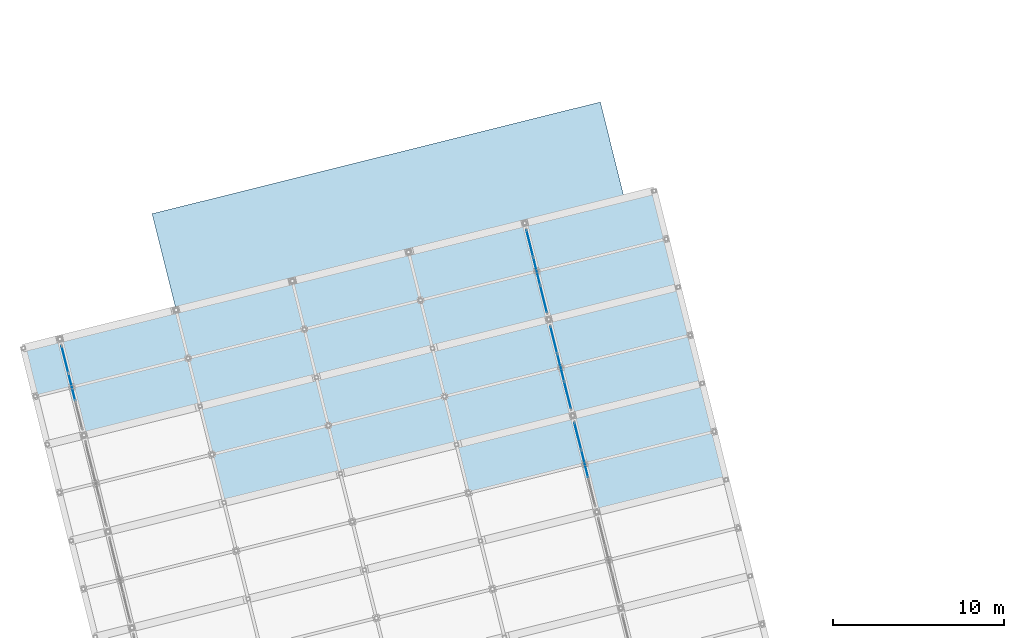
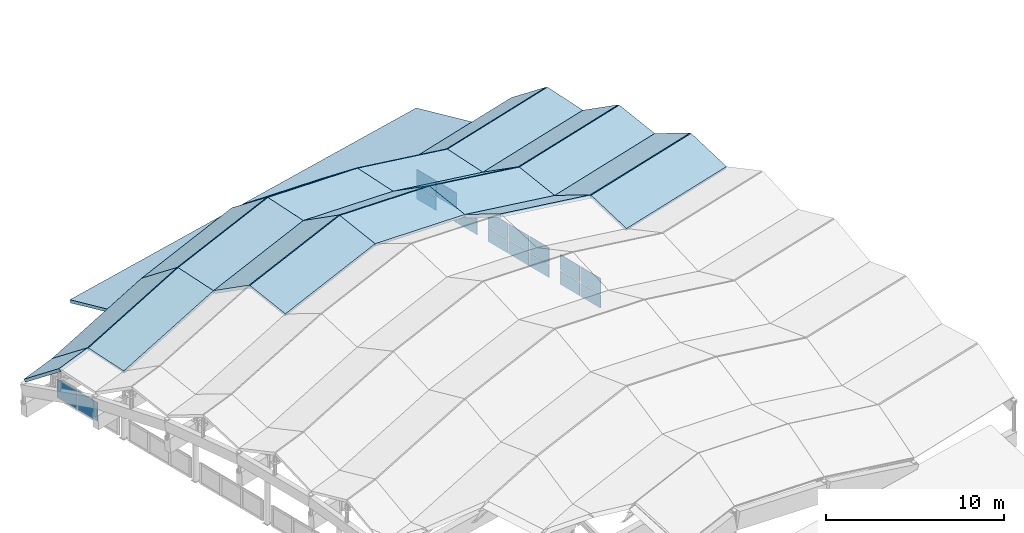
# One storey, part 55 of 65: 23 slabs, 18 plates, 4 elements without a shape of their own.
"""IFC4 building model written with IfcOpenShell, lengths in metres."""

from ifc_helpers import new_model, si_unit, direction, frame, origin, origin_2d, place, context, subcontext, project, spatial, polyline, rectangle, outline, extrude, material, layer, layer_set, type_object, element, aggregate, save


model = new_model("IFC4")

# Units and contexts
model_context = context("Model", 3, precision=1e-05, world=origin(), true_north=direction((0.0, 1.0)))
body_context = subcontext(model_context, "Body", "Model", "MODEL_VIEW")
ifc_project = project(units=[si_unit("LENGTHUNIT", "METRE"), si_unit("AREAUNIT", "SQUARE_METRE"), si_unit("VOLUMEUNIT", "CUBIC_METRE"), si_unit("PLANEANGLEUNIT", "RADIAN"), si_unit("MASSUNIT", "GRAM", prefix="KILO")], contexts=[model_context])

# Site, building, storey
site_placement = place(None, origin())
site = spatial("IfcSite", under=ifc_project, at=site_placement, CompositionType="ELEMENT")
building_placement = place(site_placement, origin())
building = spatial("IfcBuilding", under=site, at=building_placement, Name="Cinderway Yard Community Centre", CompositionType="ELEMENT")
storey_placement = place(building_placement, frame((0.0, 0.0, 24.300048828125)))
storey = spatial("IfcBuildingStorey", under=building, at=storey_placement, Name="RF", CompositionType="ELEMENT", Elevation=24.300048828125)

# Curtain wall, plates
ifc_material_1 = material(Name="Aluminium 6063-T6", Category="aluminium")
curtain_wall_type_1 = type_object("IfcCurtainWallType", Name="ENV-CW-TYPE-10", PredefinedType="USERDEFINED", material=ifc_material_1)
curtain_wall_1_placement = place(storey_placement, origin())
curtain_wall_1 = element("IfcCurtainWall", 1, at=curtain_wall_1_placement, inside=storey, type_object=curtain_wall_type_1, Name="Main Hall East Clerestory Curtain Wall ENV-CW-RF-HS-0034", ObjectType="GLAZED CURTAIN WALL", PredefinedType="USERDEFINED")
ifc_material_2 = material(Name="Laminated Low-E Glass", Category="glass")
ifc_layer_1 = layer(ifc_material_2, 0.031982421875, Name="Laminated Low-E Glass")
ifc_layer_set_1 = layer_set([ifc_layer_1], Name="Laminated Low-E Glass")
plate_type = type_object("IfcPlateType", Name="ENV-CW-PAN-IGU32", PredefinedType="CURTAIN_PANEL", material=ifc_layer_set_1)
plate_1_placement = place(storey_placement, frame((40.66357421875, 57.215576171875, -11.35986328125), z_axis=(0.0, 0.0, 1.0), x_axis=(-0.24192850896, 0.970294077356, 0.0)))
plate_1 = element("IfcPlate", 2, at=plate_1_placement, type_object=plate_type, Name="CW-10 panel 2.1", PredefinedType="CURTAIN_PANEL", context=body_context, shape_type="SweptSolid", body=[
    extrude(rectangle(XDim=1.61962890625, YDim=0.028076171875, at=origin_2d()), origin(), (0.0, 0.0, 1.0), 0.909912109375),
])
plate_2_placement = place(storey_placement, frame((40.66357421875, 57.215576171875, -10.39013671875), z_axis=(0.0, 0.0, 1.0), x_axis=(-0.24192850896, 0.970294077356, 0.0)))
plate_2 = element("IfcPlate", 3, at=plate_2_placement, type_object=plate_type, Name="CW-10 panel 2.2", PredefinedType="CURTAIN_PANEL", context=body_context, shape_type="SweptSolid", body=[
    extrude(rectangle(XDim=1.61962890625, YDim=0.028076171875, at=origin_2d()), origin(), (0.0, 0.0, 1.0), 1.080078125),
])
plate_3_placement = place(storey_placement, frame((40.2607421875, 58.83056640625, -11.35986328125), z_axis=(0.0, 0.0, 1.0), x_axis=(-0.24192850896, 0.970294077356, 0.0)))
plate_3 = element("IfcPlate", 4, at=plate_3_placement, type_object=plate_type, Name="CW-10 panel 3.1", PredefinedType="CURTAIN_PANEL", context=body_context, shape_type="SweptSolid", body=[
    extrude(rectangle(XDim=1.589599609375, YDim=0.028076171875, at=origin_2d()), origin(), (0.0, 0.0, 1.0), 0.909912109375),
])
plate_4_placement = place(storey_placement, frame((40.2607421875, 58.83056640625, -10.39013671875), z_axis=(0.0, 0.0, 1.0), x_axis=(-0.24192850896, 0.970294077356, 0.0)))
plate_4 = element("IfcPlate", 5, at=plate_4_placement, type_object=plate_type, Name="CW-10 panel 3.2", PredefinedType="CURTAIN_PANEL", context=body_context, shape_type="SweptSolid", body=[
    extrude(rectangle(XDim=1.589599609375, YDim=0.028076171875, at=origin_2d()), origin(), (0.0, 0.0, 1.0), 1.080078125),
])
aggregate(curtain_wall_1, [plate_1, plate_2, plate_3, plate_4])

curtain_wall_2_placement = place(storey_placement, origin())
curtain_wall_2 = element("IfcCurtainWall", 6, at=curtain_wall_2_placement, inside=storey, type_object=curtain_wall_type_1, Name="Main Hall East Clerestory Curtain Wall ENV-CW-RF-HS-0035", ObjectType="GLAZED CURTAIN WALL", PredefinedType="USERDEFINED")
plate_5_placement = place(storey_placement, frame((39.6630859375, 61.2275390625, -11.35986328125), z_axis=(0.0, 0.0, 1.0), x_axis=(-0.241881929678, 0.970305690025, 0.0)))
plate_5 = element("IfcPlate", 7, at=plate_5_placement, type_object=plate_type, Name="CW-10 panel 1.1", PredefinedType="CURTAIN_PANEL", context=body_context, shape_type="SweptSolid", body=[
    extrude(rectangle(XDim=1.58984375, YDim=0.028076171875, at=origin_2d()), origin(), (0.0, 0.0, 1.0), 0.909912109375),
])
plate_6_placement = place(storey_placement, frame((39.6630859375, 61.2275390625, -10.39013671875), z_axis=(0.0, 0.0, 1.0), x_axis=(-0.241881929678, 0.970305690025, 0.0)))
plate_6 = element("IfcPlate", 8, at=plate_6_placement, type_object=plate_type, Name="CW-10 panel 1.2", PredefinedType="CURTAIN_PANEL", context=body_context, shape_type="SweptSolid", body=[
    extrude(rectangle(XDim=1.58984375, YDim=0.028076171875, at=origin_2d()), origin(), (0.0, 0.0, 1.0), 1.080078125),
])
plate_7_placement = place(storey_placement, frame((39.260498046875, 62.843017578125, -11.35986328125), z_axis=(0.0, 0.0, 1.0), x_axis=(-0.241881929678, 0.970305690025, 0.0)))
plate_7 = element("IfcPlate", 9, at=plate_7_placement, type_object=plate_type, Name="CW-10 panel 2.1", PredefinedType="CURTAIN_PANEL", context=body_context, shape_type="SweptSolid", body=[
    extrude(rectangle(XDim=1.619873046875, YDim=0.028076171875, at=origin_2d()), origin(), (0.0, 0.0, 1.0), 0.909912109375),
])
plate_8_placement = place(storey_placement, frame((39.260498046875, 62.843017578125, -10.39013671875), z_axis=(0.0, 0.0, 1.0), x_axis=(-0.241881929678, 0.970305690025, 0.0)))
plate_8 = element("IfcPlate", 10, at=plate_8_placement, type_object=plate_type, Name="CW-10 panel 2.2", PredefinedType="CURTAIN_PANEL", context=body_context, shape_type="SweptSolid", body=[
    extrude(rectangle(XDim=1.619873046875, YDim=0.028076171875, at=origin_2d()), origin(), (0.0, 0.0, 1.0), 1.080078125),
])
plate_9_placement = place(storey_placement, frame((38.85791015625, 64.45849609375, -11.35986328125), z_axis=(0.0, 0.0, 1.0), x_axis=(-0.241881929678, 0.970305690025, 0.0)))
plate_9 = element("IfcPlate", 11, at=plate_9_placement, type_object=plate_type, Name="CW-10 panel 3.1", PredefinedType="CURTAIN_PANEL", context=body_context, shape_type="SweptSolid", body=[
    extrude(rectangle(XDim=1.58984375, YDim=0.028076171875, at=origin_2d()), origin(), (0.0, 0.0, 1.0), 0.909912109375),
])
plate_10_placement = place(storey_placement, frame((38.85791015625, 64.45849609375, -10.39013671875), z_axis=(0.0, 0.0, 1.0), x_axis=(-0.241881929678, 0.970305690025, 0.0)))
plate_10 = element("IfcPlate", 12, at=plate_10_placement, type_object=plate_type, Name="CW-10 panel 3.2", PredefinedType="CURTAIN_PANEL", context=body_context, shape_type="SweptSolid", body=[
    extrude(rectangle(XDim=1.58984375, YDim=0.028076171875, at=origin_2d()), origin(), (0.0, 0.0, 1.0), 1.080078125),
])
aggregate(curtain_wall_2, [plate_5, plate_6, plate_7, plate_8, plate_9, plate_10])

curtain_wall_3_placement = place(storey_placement, origin())
curtain_wall_3 = element("IfcCurtainWall", 13, at=curtain_wall_3_placement, inside=storey, type_object=curtain_wall_type_1, Name="Main Hall East Clerestory Curtain Wall ENV-CW-RF-HS-0036", ObjectType="GLAZED CURTAIN WALL", PredefinedType="USERDEFINED")
plate_11_placement = place(storey_placement, frame((38.26025390625, 66.85546875, -11.35986328125), z_axis=(0.0, 0.0, 1.0), x_axis=(-0.241881929678, 0.970305690025, 0.0)))
plate_11 = element("IfcPlate", 14, at=plate_11_placement, type_object=plate_type, Name="CW-10 panel 1.1", PredefinedType="CURTAIN_PANEL", context=body_context, shape_type="SweptSolid", body=[
    extrude(rectangle(XDim=1.58984375, YDim=0.028076171875, at=origin_2d()), origin(), (0.0, 0.0, 1.0), 0.909912109375),
])
plate_12_placement = place(storey_placement, frame((38.26025390625, 66.85546875, -10.39013671875), z_axis=(0.0, 0.0, 1.0), x_axis=(-0.241881929678, 0.970305690025, 0.0)))
plate_12 = element("IfcPlate", 15, at=plate_12_placement, type_object=plate_type, Name="CW-10 panel 1.2", PredefinedType="CURTAIN_PANEL", context=body_context, shape_type="SweptSolid", body=[
    extrude(rectangle(XDim=1.58984375, YDim=0.028076171875, at=origin_2d()), origin(), (0.0, 0.0, 1.0), 1.080078125),
])
plate_13_placement = place(storey_placement, frame((37.857421875, 68.470947265625, -11.35986328125), z_axis=(0.0, 0.0, 1.0), x_axis=(-0.241881929678, 0.970305690025, 0.0)))
plate_13 = element("IfcPlate", 16, at=plate_13_placement, type_object=plate_type, Name="CW-10 panel 2.1", PredefinedType="CURTAIN_PANEL", context=body_context, shape_type="SweptSolid", body=[
    extrude(rectangle(XDim=1.619873046875, YDim=0.028076171875, at=origin_2d()), origin(), (0.0, 0.0, 1.0), 0.909912109375),
])
plate_14_placement = place(storey_placement, frame((37.857421875, 68.470947265625, -10.39013671875), z_axis=(0.0, 0.0, 1.0), x_axis=(-0.241881929678, 0.970305690025, 0.0)))
plate_14 = element("IfcPlate", 17, at=plate_14_placement, type_object=plate_type, Name="CW-10 panel 2.2", PredefinedType="CURTAIN_PANEL", context=body_context, shape_type="SweptSolid", body=[
    extrude(rectangle(XDim=1.619873046875, YDim=0.028076171875, at=origin_2d()), origin(), (0.0, 0.0, 1.0), 1.080078125),
])
plate_15_placement = place(storey_placement, frame((37.454833984375, 70.08642578125, -11.35986328125), z_axis=(0.0, 0.0, 1.0), x_axis=(-0.241881929678, 0.970305690025, 0.0)))
plate_15 = element("IfcPlate", 18, at=plate_15_placement, type_object=plate_type, Name="CW-10 panel 3.1", PredefinedType="CURTAIN_PANEL", context=body_context, shape_type="SweptSolid", body=[
    extrude(rectangle(XDim=1.58984375, YDim=0.028076171875, at=origin_2d()), origin(), (0.0, 0.0, 1.0), 0.909912109375),
])
plate_16_placement = place(storey_placement, frame((37.454833984375, 70.08642578125, -10.39013671875), z_axis=(0.0, 0.0, 1.0), x_axis=(-0.241881929678, 0.970305690025, 0.0)))
plate_16 = element("IfcPlate", 19, at=plate_16_placement, type_object=plate_type, Name="CW-10 panel 3.2", PredefinedType="CURTAIN_PANEL", context=body_context, shape_type="SweptSolid", body=[
    extrude(rectangle(XDim=1.58984375, YDim=0.028076171875, at=origin_2d()), origin(), (0.0, 0.0, 1.0), 1.080078125),
])
aggregate(curtain_wall_3, [plate_11, plate_12, plate_13, plate_14, plate_15, plate_16])

curtain_wall_type_2 = type_object("IfcCurtainWallType", Name="ENV-CW-TYPE-11", PredefinedType="USERDEFINED", material=ifc_material_1)
curtain_wall_4_placement = place(storey_placement, origin())
curtain_wall_4 = element("IfcCurtainWall", 20, at=curtain_wall_4_placement, inside=storey, type_object=curtain_wall_type_2, Name="Main Hall West Clerestory Curtain Wall ENV-CW-RF-HS-0043", ObjectType="GLAZED CURTAIN WALL", PredefinedType="USERDEFINED")
plate_17_placement = place(storey_placement, frame((10.68896484375, 61.697021484375, -11.33984375), z_axis=(0.0, 0.0, 1.0), x_axis=(-0.242068733434, 0.97025910369, 0.0)))
plate_17 = element("IfcPlate", 21, at=plate_17_placement, type_object=plate_type, Name="CW-11 panel 2.1", PredefinedType="CURTAIN_PANEL", context=body_context, shape_type="SweptSolid", body=[
    extrude(rectangle(XDim=1.619873046875, YDim=0.028076171875, at=origin_2d()), origin(), (0.0, 0.0, 1.0), 1.280029296875),
])
plate_18_placement = place(storey_placement, frame((10.285888671875, 63.3125, -11.33984375), z_axis=(0.0, 0.0, 1.0), x_axis=(-0.242068733434, 0.97025910369, 0.0)))
plate_18 = element("IfcPlate", 22, at=plate_18_placement, type_object=plate_type, Name="CW-11 panel 3.1", PredefinedType="CURTAIN_PANEL", context=body_context, shape_type="SweptSolid", body=[
    extrude(rectangle(XDim=1.58984375, YDim=0.028076171875, at=origin_2d()), origin(), (0.0, 0.0, 1.0), 1.280029296875),
])
aggregate(curtain_wall_4, [plate_17, plate_18])

# Slabs
ifc_material_3 = material(Name="Concrete C40/50", Category="concrete")
ifc_layer_2 = layer(ifc_material_3, 0.199951171875, Name="Concrete C40/50")
ifc_layer_set_2 = layer_set([ifc_layer_2], Name="Concrete C40/50")
slab_type_1 = type_object("IfcSlabType", Name="STR-SLAB-ROOF-FP200", PredefinedType="ROOF", material=ifc_layer_set_2)
slab_1_placement = place(storey_placement, frame((41.364990234375, 54.402099609375, -4.85498046875), z_axis=(0.014126853574, -0.285187123815, 0.958367745919), x_axis=(0.968684661593, 0.241522559541, 0.057592357373)))
element("IfcSlab", 23, at=slab_1_placement, inside=storey, type_object=slab_type_1, Name="Folded-plate roof facet B5.P1.U6", PredefinedType="ROOF", context=body_context, shape_type="SweptSolid", body=[
    extrude(outline(polyline([(0.0, 0.0), (7.812775000498846, -5.551115123125783e-17), (7.861601994252352, 2.9789587958455255), (0.048117507917379274, 2.9791403573907367), (0.0, 0.0)])), origin(), (0.0, 0.0, -1.0), 0.199951171875),
])
slab_2_placement = place(storey_placement, frame((33.862060546875, 55.56103515625, -1.927978515625), z_axis=(0.142501818974, 0.492984322114, 0.858288814875), x_axis=(0.929388056314, 0.231649230119, -0.287361227318)))
element("IfcSlab", 24, at=slab_2_placement, inside=storey, type_object=slab_type_1, Name="Folded-plate roof facet B5.P2.U5", PredefinedType="ROOF", context=body_context, shape_type="SweptSolid", body=[
    extrude(outline(polyline([(0.0, 0.0), (7.308035343187703, -2.220446049250313e-16), (7.732638852514322, 3.191811141310308), (0.4245469543387954, 3.191606396957035), (0.0, 0.0)])), origin(), (0.0, 0.0, -1.0), 0.199951171875),
])
slab_3_placement = place(storey_placement, frame((40.654052734375, 57.25390625, -4.028076171875), z_axis=(-0.160644168524, 0.432733653223, 0.887093589475), x_axis=(0.968676903303, 0.241555474027, 0.057584806805)))
element("IfcSlab", 25, at=slab_3_placement, inside=storey, type_object=slab_type_1, Name="Folded-plate roof facet B5.P2.U6", PredefinedType="ROOF", context=body_context, shape_type="SweptSolid", body=[
    extrude(outline(polyline([(0.0, 0.0), (7.812597476015342, -4.440892098500626e-16), (7.727499920889438, 3.218541908270047), (-0.08527507500609759, 3.2188001898040546), (0.0, 0.0)])), origin(), (0.0, 0.0, -1.0), 0.199951171875),
])
slab_4_placement = place(storey_placement, frame((19.5859375, 54.948974609375, -3.406982421875), z_axis=(-0.146503711497, -0.211327583737, 0.966373279261), x_axis=(0.951464915594, 0.237181582148, 0.196110712313)))
element("IfcSlab", 26, at=slab_4_placement, inside=storey, type_object=slab_type_1, Name="Folded-plate roof facet B6.P1.U3", PredefinedType="ROOF", context=body_context, shape_type="SweptSolid", body=[
    extrude(outline(polyline([(0.0, 0.0), (7.138453869242626, 8.326672684688674e-17), (7.236734610554201, 2.9019129715830445), (0.09833864697128038, 2.9021444660209847), (0.0, 0.0)])), origin(), (0.0, 0.0, -1.0), 0.199951171875),
])
slab_5_placement = place(storey_placement, frame((26.3779296875, 56.64208984375, -2.007080078125), z_axis=(0.228563335676, -0.117812585879, 0.966374149175), x_axis=(0.951441826051, 0.23727941002, -0.196104393681)))
element("IfcSlab", 27, at=slab_5_placement, inside=storey, type_object=slab_type_1, Name="Folded-plate roof facet B6.P1.U4", PredefinedType="ROOF", context=body_context, shape_type="SweptSolid", body=[
    extrude(outline(polyline([(0.0, 0.0), (7.138627622272685, 1.3877787807814457e-16), (7.040380133321164, 2.90214755353992), (-0.09830541849498367, 2.901912135800784), (0.0, 0.0)])), origin(), (0.0, 0.0, -1.0), 0.199951171875),
])
slab_6_placement = place(storey_placement, frame((33.169921875, 58.3359375, -3.406982421875), z_axis=(0.315069796073, -0.092299943831, 0.944569607796), x_axis=(0.929380175997, 0.231676642453, -0.287364614741)))
element("IfcSlab", 28, at=slab_6_placement, inside=storey, type_object=slab_type_1, Name="Folded-plate roof facet B6.P1.U5", PredefinedType="ROOF", context=body_context, shape_type="SweptSolid", body=[
    extrude(outline(polyline([(0.0, 0.0), (7.308091901282683, 3.3306690738754696e-16), (7.163695331808008, 2.8999840740971616), (-0.1443400077943884, 2.90022050089865), (0.0, 0.0)])), origin(), (0.0, 0.0, -1.0), 0.199951171875),
])
slab_7_placement = place(storey_placement, frame((39.9619140625, 60.029052734375, -5.507080078125), z_axis=(-0.013291868748, -0.181236536352, 0.983349705912), x_axis=(0.968684445375, 0.241519926202, 0.057607035473)))
element("IfcSlab", 29, at=slab_7_placement, inside=storey, type_object=slab_type_1, Name="Folded-plate roof facet B6.P1.U6", PredefinedType="ROOF", context=body_context, shape_type="SweptSolid", body=[
    extrude(outline(polyline([(0.0, 0.0), (7.812774999553312, 3.0531133177191805e-16), (7.841435339041107, 2.903535710507891), (0.028882770496071176, 2.903433100690869), (0.0, 0.0)])), origin(), (0.0, 0.0, -1.0), 0.199951171875),
])
slab_8_placement = place(storey_placement, frame((18.875, 57.802001953125, -2.923095703125), z_axis=(-0.289328532274, 0.47196385614, 0.83278996086), x_axis=(0.951459063032, 0.237180754929, 0.196140105194)))
element("IfcSlab", 30, at=slab_8_placement, inside=storey, type_object=slab_type_1, Name="Folded-plate roof facet B6.P2.U3", PredefinedType="ROOF", context=body_context, shape_type="SweptSolid", body=[
    extrude(outline(polyline([(0.0, 0.0), (7.1385017510428215, 1.1102230246251565e-16), (6.782746149168489, 3.3673677434173666), (-0.35575560187433297, 3.3673677434173666), (0.0, 0.0)])), origin(), (0.0, 0.0, -1.0), 0.199951171875),
])
slab_9_placement = place(storey_placement, frame((25.6669921875, 59.4951171875, -1.52294921875), z_axis=(0.033935067519, 0.552476094569, 0.832837664928), x_axis=(0.95146838461, 0.237174575977, -0.196102354899)))
element("IfcSlab", 31, at=slab_9_placement, inside=storey, type_object=slab_type_1, Name="Folded-plate roof facet B6.P2.U4", PredefinedType="ROOF", context=body_context, shape_type="SweptSolid", body=[
    extrude(outline(polyline([(0.0, 0.0), (7.138443841560712, 0.0), (7.494085147450858, 3.3683857958303696), (0.3553517861440809, 3.3674103643675455), (0.0, 0.0)])), origin(), (0.0, 0.0, -1.0), 0.199951171875),
])
slab_10_placement = place(storey_placement, frame((32.458984375, 61.18798828125, -2.923095703125), z_axis=(0.112774826692, 0.562939315361, 0.818768078082), x_axis=(0.929354531022, 0.231778993333, -0.287365018608)))
element("IfcSlab", 32, at=slab_10_placement, inside=storey, type_object=slab_type_1, Name="Folded-plate roof facet B6.P2.U5", PredefinedType="ROOF", context=body_context, shape_type="SweptSolid", body=[
    extrude(outline(polyline([(0.0, 0.0), (7.308248049999956, 0.0), (7.829386215401522, 3.345764854585558), (0.5214210987430365, 3.346733279101417), (0.0, 0.0)])), origin(), (0.0, 0.0, -1.0), 0.199951171875),
])
slab_11_placement = place(storey_placement, frame((39.2509765625, 62.882080078125, -5.02294921875), z_axis=(-0.176597747745, 0.507120018633, 0.843589071878), x_axis=(0.968684164966, 0.241524147652, 0.057594050435)))
element("IfcSlab", 33, at=slab_11_placement, inside=storey, type_object=slab_type_1, Name="Folded-plate roof facet B6.P2.U6", PredefinedType="ROOF", context=body_context, shape_type="SweptSolid", body=[
    extrude(outline(polyline([(0.0, 0.0), (7.812775000470818, -1.1102230246251565e-16), (7.70809981394839, 3.384539639488026), (-0.10443869136496485, 3.384497027174641), (0.0, 0.0)])), origin(), (0.0, 0.0, -1.0), 0.199951171875),
])
slab_12_placement = place(storey_placement, frame((11.39111328125, 58.883056640625, -6.8359375), z_axis=(-0.267160897905, -0.114908932798, 0.956776354115), x_axis=(0.929363271588, 0.231772231858, 0.287342203588)))
element("IfcSlab", 34, at=slab_12_placement, inside=storey, type_object=slab_type_1, Name="Folded-plate roof facet B7.P1.U2", PredefinedType="ROOF", context=body_context, shape_type="SweptSolid", body=[
    extrude(outline(polyline([(0.0, 0.0), (7.30819146808335, 1.249000902703301e-16), (7.34841229558185, 2.8633048257669147), (0.040094090575784495, 2.863058040838228), (0.0, 0.0)])), origin(), (0.0, 0.0, -1.0), 0.199951171875),
])
slab_13_placement = place(storey_placement, frame((18.18310546875, 60.576904296875, -4.736083984375), z_axis=(-0.178478412956, -0.093933994318, 0.979449774527), x_axis=(0.951461765761, 0.237182177357, 0.19612527384)))
element("IfcSlab", 35, at=slab_13_placement, inside=storey, type_object=slab_type_1, Name="Folded-plate roof facet B7.P1.U3", PredefinedType="ROOF", context=body_context, shape_type="SweptSolid", body=[
    extrude(outline(polyline([(0.0, 0.0), (7.138501750224402, -6.938893903907228e-17), (7.165552117368287, 2.863210987304533), (0.02715615509583738, 2.86345853511827), (0.0, 0.0)])), origin(), (0.0, 0.0, -1.0), 0.199951171875),
])
slab_14_placement = place(storey_placement, frame((24.97509765625, 62.27001953125, -3.3359375), z_axis=(0.201673197108, 0.000882238395, 0.979452471141), x_axis=(0.95143156162, 0.237309869853, -0.196117335348)))
element("IfcSlab", 36, at=slab_14_placement, inside=storey, type_object=slab_type_1, Name="Folded-plate roof facet B7.P1.U4", PredefinedType="ROOF", context=body_context, shape_type="SweptSolid", body=[
    extrude(outline(polyline([(0.0, 0.0), (7.138733434910761, 8.326672684688674e-17), (7.111239331657056, 2.863218699014684), (-0.02744622304487979, 2.8632072196077734), (0.0, 0.0)])), origin(), (0.0, 0.0, -1.0), 0.199951171875),
])
slab_15_placement = place(storey_placement, frame((31.76708984375, 63.964111328125, -4.736083984375), z_axis=(0.289833829184, 0.024016196696, 0.956775613066), x_axis=(0.929391172779, 0.231647010524, -0.287352937126)))
element("IfcSlab", 37, at=slab_15_placement, inside=storey, type_object=slab_type_1, Name="Folded-plate roof facet B7.P1.U5", PredefinedType="ROOF", context=body_context, shape_type="SweptSolid", body=[
    extrude(outline(polyline([(0.0, 0.0), (7.307965187968345, 1.5265566588595902e-16), (7.267296905207195, 2.8630499417587942), (-0.04073843728681543, 2.863060883823947), (0.0, 0.0)])), origin(), (0.0, 0.0, -1.0), 0.199951171875),
])
slab_16_placement = place(storey_placement, frame((38.55908203125, 65.656982421875, -6.8359375), z_axis=(-0.044014011736, -0.061243634869, 0.997151936246), x_axis=(0.968682798043, 0.241530160295, 0.057591826181)))
element("IfcSlab", 38, at=slab_16_placement, inside=storey, type_object=slab_type_1, Name="Folded-plate roof facet B7.P1.U6", PredefinedType="ROOF", context=body_context, shape_type="SweptSolid", body=[
    extrude(outline(polyline([(0.0, 0.0), (7.812538505448742, -6.938893903907228e-17), (7.820650419224058, 2.863504877281833), (0.007816451627282847, 2.8633280976492124), (0.0, 0.0)])), origin(), (0.0, 0.0, -1.0), 0.199951171875),
])
slab_17_placement = place(storey_placement, frame((8.544921875, 61.2041015625, -7.074951171875), z_axis=(-0.267146271422, 0.552342173891, 0.789652450517), x_axis=(0.958257447948, 0.238879187631, 0.157096776445)))
element("IfcSlab", 39, at=slab_17_placement, inside=storey, type_object=slab_type_1, Name="Folded-plate roof facet B7.P2.U1", PredefinedType="ROOF", context=body_context, shape_type="SweptSolid", body=[
    extrude(outline(polyline([(0.0, 0.0), (2.2269935993664443, -5.551115123125783e-17), (1.8851537697209924, 3.576700154516563), (-0.3418398296454518, 3.576700154516563), (0.0, 0.0)])), origin(), (0.0, 0.0, -1.0), 0.199951171875),
])
slab_18_placement = place(storey_placement, frame((10.678955078125, 61.736083984375, -6.72509765625), z_axis=(-0.367784516402, 0.515116339708, 0.774202625971), x_axis=(0.929383718349, 0.231649602798, 0.287374956444)))
element("IfcSlab", 40, at=slab_18_placement, inside=storey, type_object=slab_type_1, Name="Folded-plate roof facet B7.P2.U2", PredefinedType="ROOF", context=body_context, shape_type="SweptSolid", body=[
    extrude(outline(polyline([(0.0, 0.0), (7.308035343164958, 2.220446049250313e-16), (6.682806849572936, 3.53837290059813), (-0.6252850486708296, 3.5381714300476754), (0.0, 0.0)])), origin(), (0.0, 0.0, -1.0), 0.199951171875),
])
slab_19_placement = place(storey_placement, frame((17.470947265625, 63.428955078125, -4.625), z_axis=(-0.297181879382, 0.542051889454, 0.786042415971), x_axis=(0.95144336098, 0.237295404233, 0.196077591726)))
element("IfcSlab", 41, at=slab_19_placement, inside=storey, type_object=slab_type_1, Name="Folded-plate roof facet B7.P2.U3", PredefinedType="ROOF", context=body_context, shape_type="SweptSolid", body=[
    extrude(outline(polyline([(0.0, 0.0), (7.138685552585929, -1.1102230246251565e-16), (6.713309475500941, 3.567540218417266), (-0.4262472875438958, 3.5678153906927568), (0.0, 0.0)])), origin(), (0.0, 0.0, -1.0), 0.199951171875),
])
slab_20_placement = place(storey_placement, frame((24.262939453125, 65.123046875, -3.22509765625), z_axis=(0.007947888131, 0.618093308305, 0.786064560519), x_axis=(0.951486195063, 0.237125399951, -0.196075407182)))
element("IfcSlab", 42, at=slab_20_placement, inside=storey, type_object=slab_type_1, Name="Folded-plate roof facet B7.P2.U4", PredefinedType="ROOF", context=body_context, shape_type="SweptSolid", body=[
    extrude(outline(polyline([(0.0, 0.0), (7.139325146359798, -2.220446049250313e-16), (7.565528356081916, 3.567820661936473), (0.42707450351613696, 3.56733730181812), (0.0, 0.0)])), origin(), (0.0, 0.0, -1.0), 0.199951171875),
])
slab_21_placement = place(storey_placement, frame((31.055908203125, 66.81591796875, -4.625), z_axis=(0.082886988717, 0.627483908859, 0.774205199688), x_axis=(0.929350042499, 0.231796657566, -0.287365286782)))
element("IfcSlab", 43, at=slab_21_placement, inside=storey, type_object=slab_type_1, Name="Folded-plate roof facet B7.P2.U5", PredefinedType="ROOF", context=body_context, shape_type="SweptSolid", body=[
    extrude(outline(polyline([(0.0, 0.0), (7.30831820949388, 2.220446049250313e-16), (7.933552616085257, 3.5381803791494355), (0.6252909975722277, 3.5383618553404794), (0.0, 0.0)])), origin(), (0.0, 0.0, -1.0), 0.199951171875),
])
slab_22_placement = place(storey_placement, frame((37.847900390625, 68.510009765625, -6.72509765625), z_axis=(-0.190815446935, 0.575618224725, 0.795143461632), x_axis=(0.96868056569, 0.241535076683, 0.057608752684)))
element("IfcSlab", 44, at=slab_22_placement, inside=storey, type_object=slab_type_1, Name="Folded-plate roof facet B7.P2.U6", PredefinedType="ROOF", context=body_context, shape_type="SweptSolid", body=[
    extrude(outline(polyline([(0.0, 0.0), (7.81277499870868, 3.3306690738754696e-16), (7.687557646311831, 3.590856731692895), (-0.12529038555831487, 3.5908133835857283), (0.0, 0.0)])), origin(), (0.0, 0.0, -1.0), 0.199951171875),
])
ifc_layer_3 = layer(ifc_material_3, 0.199951171875, Name="Concrete C40/50")
ifc_layer_set_3 = layer_set([ifc_layer_3], Name="Concrete C40/50")
slab_type_2 = type_object("IfcSlabType", Name="STR-SLAB-ROOF-MP200", PredefinedType="ROOF", material=ifc_layer_set_3)
slab_23_placement = place(storey_placement, frame((16.779052734375, 66.2041015625, -9.5), z_axis=(-0.068042475911, 0.272899793034, 0.959633223911), x_axis=(0.970294962161, 0.241924960279, 0.0)))
element("IfcSlab", 45, at=slab_23_placement, inside=storey, type_object=slab_type_2, Name="V1 North Annex Sloped Roof", PredefinedType="ROOF", context=body_context, shape_type="SweptSolid", body=[
    extrude(outline(polyline([(0.0, 0.0), (27.000035111528103, -8.881784197001252e-16), (27.000174036528932, 6.04417482200724), (0.00013892500083298966, 6.044174822007241), (0.0, 0.0)])), origin(), (0.0, 0.0, -1.0), 0.199951171875),
])

save(model, "model.ifc")
